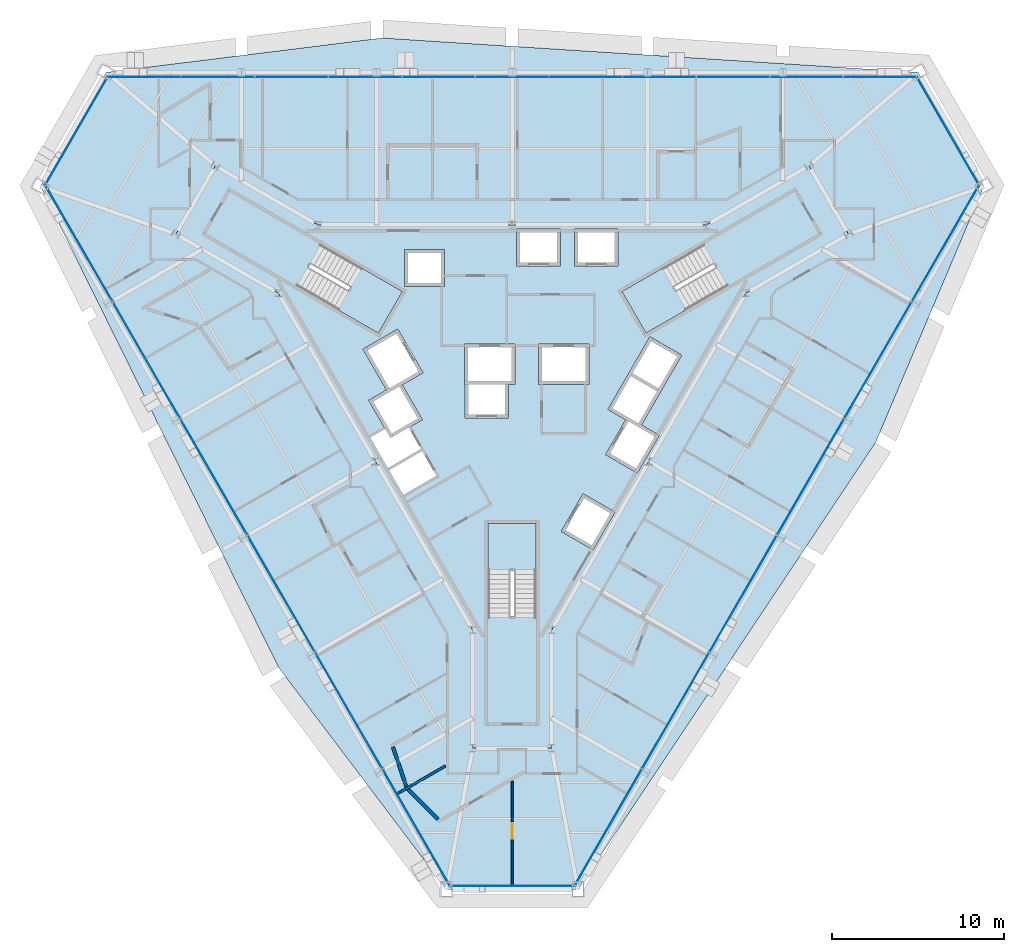
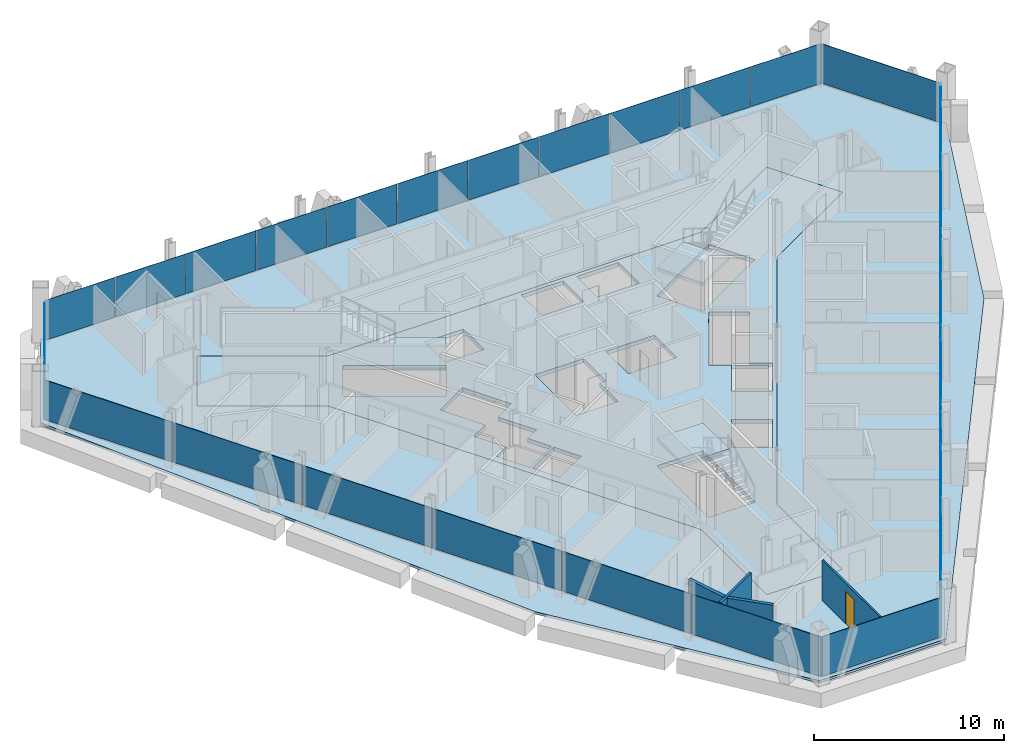
# One storey, part 9 of 17: 26 plates, 5 slabs, 4 walls, 1 door, 1 opening, 9 elements without a shape of their own.
"""IFC4 building model written with IfcOpenShell, lengths in metres."""

from ifc_helpers import new_model, si_unit, direction, frame, frame_2d, origin, origin_2d, place, context, subcontext, project, spatial, polyline, rectangle, outline, extrude, material, layer, layer_set, type_object, element, fill, aggregate, save


model = new_model("IFC4")

# Units and contexts
model_context = context("Model", 3, precision=1e-05, world=origin(), true_north=direction((0.0, 1.0)))
body_context = subcontext(model_context, "Body", "Model", "MODEL_VIEW")
ifc_project = project(units=[si_unit("LENGTHUNIT", "METRE"), si_unit("AREAUNIT", "SQUARE_METRE"), si_unit("VOLUMEUNIT", "CUBIC_METRE"), si_unit("PLANEANGLEUNIT", "RADIAN"), si_unit("MASSUNIT", "GRAM", prefix="KILO")], contexts=[model_context])

# Site, building, storey
site_placement = place(None, origin())
site = spatial("IfcSite", under=ifc_project, at=site_placement, CompositionType="ELEMENT")
building_placement = place(site_placement, origin())
building = spatial("IfcBuilding", under=site, at=building_placement, Name="Verrane Prism Tower", CompositionType="ELEMENT")
storey_placement = place(building_placement, frame((0.0, 0.0, 96.39990234375)))
storey = spatial("IfcBuildingStorey", under=building, at=storey_placement, Name="L22", CompositionType="ELEMENT", Elevation=96.39990234375)

# Slabs
ifc_material_1 = material(Name="Concrete C35/45", Category="concrete")
ifc_layer_1 = layer(ifc_material_1, 0.159912109375)
ifc_layer_set_1 = layer_set([ifc_layer_1], Name="Composite floor slab")
slab_type_1 = type_object("IfcSlabType", Name="Composite floor slab", PredefinedType="FLOOR", material=ifc_layer_set_1)
slab_1_placement = place(storey_placement, frame((0.0, 0.0, -0.159912109375)))
element("IfcSlab", 1, at=slab_1_placement, inside=storey, type_object=slab_type_1, Name="Floor slab L22", PredefinedType="FLOOR", context=body_context, shape_type="SweptSolid", body=[
    extrude(outline(polyline([(21.1845703125, -3.4873046875), (3.8349609375, -29.53759765625), (-3.8349609375, -29.53759765625), (-13.6123046875, -16.6025390625), (-27.497802734375, 11.447509765625), (-23.662841796875, 18.090087890625), (-7.572021484375, 20.090087890625), (23.662841796875, 18.090087890625), (27.497802734375, 11.447509765625), (21.1845703125, -3.4873046875)]), holes=[polyline([(19.60009765625, 8.659912109375), (17.300048828125, 12.639892578125), (11.330078125, 9.199951171875), (0.0, 9.199951171875), (-11.330078125, 9.199951171875), (-17.300048828125, 12.639892578125), (-19.60009765625, 8.659912109375), (-13.6298828125, 5.219970703125), (-7.969970703125, -4.60009765625), (-2.300048828125, -14.419921875), (-2.300048828125, -21.300048828125), (2.300048828125, -21.300048828125), (2.300048828125, -14.419921875), (7.969970703125, -4.60009765625), (13.6298828125, 5.219970703125), (19.60009765625, 8.659912109375)])]), origin(), (0.0, 0.0, 1.0), 0.159912109375),
])
ifc_material_2 = material(Name="Concrete C40/50", Category="concrete")
ifc_layer_2 = layer(ifc_material_2, 0.25)
ifc_layer_set_2 = layer_set([ifc_layer_2], Name="Core floor slab 250 concrete C40/50")
slab_type_2 = type_object("IfcSlabType", Name="Core floor slab 250 concrete C40/50", PredefinedType="FLOOR", material=ifc_layer_set_2)
slab_2_placement = place(storey_placement, frame((0.0, 0.0, -0.25)))
element("IfcSlab", 2, at=slab_2_placement, inside=storey, type_object=slab_type_2, Name="Core floor L22", PredefinedType="FLOOR", context=body_context, shape_type="SweptSolid", body=[
    extrude(outline(polyline([(13.6298828125, 5.219970703125), (19.60009765625, 8.659912109375), (17.300048828125, 12.639892578125), (11.330078125, 9.199951171875), (0.0, 9.199951171875), (-11.330078125, 9.199951171875), (-17.300048828125, 12.639892578125), (-19.60009765625, 8.659912109375), (-13.6298828125, 5.219970703125), (-7.969970703125, -4.60009765625), (-2.300048828125, -14.419921875), (-2.300048828125, -21.300048828125), (2.300048828125, -21.300048828125), (2.300048828125, -14.419921875), (7.969970703125, -4.60009765625), (13.6298828125, 5.219970703125)]), holes=[polyline([(1.39990234375, -8.199951171875), (1.39990234375, -13.639892578125), (-1.39990234375, -13.639892578125), (-1.39990234375, -8.199951171875), (1.39990234375, -8.199951171875)]), polyline([(-4.4169921875, -5.419921875), (-6.343994140625, -6.531982421875), (-7.1689453125, -5.10302734375), (-5.241943359375, -3.989990234375), (-4.4169921875, -5.419921875)]), polyline([(0.1650390625, 2.25), (0.1650390625, -0.10009765625), (-0.205078125, -0.10009765625), (-0.205078125, -2.050048828125), (-2.7548828125, -2.050048828125), (-2.7548828125, -0.10009765625), (-2.784912109375, -0.10009765625), (-2.784912109375, 2.25), (0.1650390625, 2.25)]), polyline([(-12.512939453125, 5.60791015625), (-11.113037109375, 8.031982421875), (-6.40087890625, 5.31201171875), (-7.801025390625, 2.887939453125), (-12.512939453125, 5.60791015625)]), polyline([(-6.284912109375, 5.610107421875), (-6.284912109375, 7.760009765625), (-3.93505859375, 7.760009765625), (-3.93505859375, 5.610107421875), (-6.284912109375, 5.610107421875)]), polyline([(4.717041015625, -9.75), (2.85498046875, -8.675048828125), (4.1298828125, -6.466064453125), (5.991943359375, -7.541015625), (4.717041015625, -9.75)]), polyline([(8.303955078125, -3.136962890625), (5.575927734375, -1.56201171875), (8.02587890625, 2.680908203125), (9.887939453125, 1.60595703125), (7.5380859375, -2.464111328125), (8.576904296875, -3.06396484375), (7.302001953125, -5.27197265625), (5.43994140625, -4.197021484375), (6.614990234375, -2.162109375), (8.303955078125, -3.136962890625)]), polyline([(1.52490234375, -0.10009765625), (1.52490234375, 2.25), (4.47509765625, 2.25), (4.47509765625, -0.10009765625), (1.52490234375, -0.10009765625)]), polyline([(6.40087890625, 5.31201171875), (11.113037109375, 8.031982421875), (12.512939453125, 5.60791015625), (7.801025390625, 2.887939453125), (6.40087890625, 5.31201171875)]), polyline([(0.264892578125, 6.81005859375), (0.264892578125, 8.9599609375), (2.81494140625, 8.9599609375), (2.81494140625, 6.81005859375), (0.264892578125, 6.81005859375)]), polyline([(3.625, 6.81005859375), (3.625, 8.9599609375), (6.175048828125, 8.9599609375), (6.175048828125, 6.81005859375), (3.625, 6.81005859375)]), polyline([(-5.23095703125, -2.159912109375), (-6.031982421875, -2.622314453125), (-5.31689453125, -3.860107421875), (-7.243896484375, -4.972900390625), (-8.26904296875, -3.197998046875), (-7.40283203125, -2.6982421875), (-8.367919921875, -1.02587890625), (-7.3291015625, -0.426025390625), (-8.7041015625, 1.955078125), (-6.66796875, 3.1298828125), (-5.193115234375, 0.574951171875), (-6.406005859375, -0.125), (-5.23095703125, -2.159912109375)])]), origin(), (0.0, 0.0, 1.0), 0.25),
])

# Curtain wall, plates
ifc_material_3 = material(Name="Aluminium framed insulated glazing", Category="aluminium")
curtain_wall_type_1 = type_object("IfcCurtainWallType", Name="Curtain wall CW-C 4200 module", PredefinedType="NOTDEFINED", material=ifc_material_3)
curtain_wall_1_placement = place(storey_placement, origin())
curtain_wall_1 = element("IfcCurtainWall", 3, at=curtain_wall_1_placement, inside=storey, type_object=curtain_wall_type_1, Name="Glazed curtain wall north face L22", PredefinedType="NOTDEFINED")
ifc_material_4 = material(Name="Low-iron insulating glass unit", Category="glass")
ifc_layer_3 = layer(ifc_material_4, 0.02392578125)
ifc_layer_set_3 = layer_set([ifc_layer_3], Name="Glazing panel IGU 24")
plate_type_1 = type_object("IfcPlateType", Name="Glazing panel IGU 24", PredefinedType="CURTAIN_PANEL", material=ifc_layer_set_3)
plate_1_placement = place(storey_placement, frame((21.4326171875, 17.81103515625, 0.050048828125), z_axis=(0.0, 0.0, 1.0), x_axis=(-1.0, 0.0, 0.0)))
plate_1 = element("IfcPlate", 4, at=plate_1_placement, type_object=plate_type_1, Name="CW21.2 panel 1", PredefinedType="CURTAIN_PANEL", context=body_context, shape_type="SweptSolid", body=[
    extrude(rectangle(XDim=4.214111328125, YDim=0.02392578125, at=origin_2d()), origin(), (0.0, 0.0, 1.0), 2.56298828125),
])
plate_2_placement = place(storey_placement, frame((17.15625, 17.81103515625, 0.050048828125), z_axis=(0.0, 0.0, 1.0), x_axis=(-1.0, 0.0, 0.0)))
plate_2 = element("IfcPlate", 5, at=plate_2_placement, type_object=plate_type_1, Name="CW21.2 panel 2", PredefinedType="CURTAIN_PANEL", context=body_context, shape_type="SweptSolid", body=[
    extrude(rectangle(XDim=4.239013671875, YDim=0.02392578125, at=origin_2d()), origin(), (0.0, 0.0, 1.0), 2.56298828125),
])
plate_3_placement = place(storey_placement, frame((12.8671875, 17.81103515625, 0.050048828125), z_axis=(0.0, 0.0, 1.0), x_axis=(-1.0, 0.0, 0.0)))
plate_3 = element("IfcPlate", 6, at=plate_3_placement, type_object=plate_type_1, Name="CW21.2 panel 3", PredefinedType="CURTAIN_PANEL", context=body_context, shape_type="SweptSolid", body=[
    extrude(rectangle(XDim=4.239013671875, YDim=0.02392578125, at=origin_2d()), origin(), (0.0, 0.0, 1.0), 2.56298828125),
])
plate_4_placement = place(storey_placement, frame((8.578125, 17.81103515625, 0.050048828125), z_axis=(0.0, 0.0, 1.0), x_axis=(-1.0, 0.0, 0.0)))
plate_4 = element("IfcPlate", 7, at=plate_4_placement, type_object=plate_type_1, Name="CW21.2 panel 4", PredefinedType="CURTAIN_PANEL", context=body_context, shape_type="SweptSolid", body=[
    extrude(rectangle(XDim=4.239013671875, YDim=0.02392578125, at=origin_2d()), origin(), (0.0, 0.0, 1.0), 2.56298828125),
])
plate_5_placement = place(storey_placement, frame((4.2890625, 17.81103515625, 0.050048828125), z_axis=(0.0, 0.0, 1.0), x_axis=(-1.0, 0.0, 0.0)))
plate_5 = element("IfcPlate", 8, at=plate_5_placement, type_object=plate_type_1, Name="CW21.2 panel 5", PredefinedType="CURTAIN_PANEL", context=body_context, shape_type="SweptSolid", body=[
    extrude(rectangle(XDim=4.239013671875, YDim=0.02392578125, at=origin_2d()), origin(), (0.0, 0.0, 1.0), 2.56298828125),
])
plate_6_placement = place(storey_placement, frame((0.0, 17.81103515625, 0.050048828125), z_axis=(0.0, 0.0, 1.0), x_axis=(-1.0, 0.0, 0.0)))
plate_6 = element("IfcPlate", 9, at=plate_6_placement, type_object=plate_type_1, Name="CW21.2 panel 6", PredefinedType="CURTAIN_PANEL", context=body_context, shape_type="SweptSolid", body=[
    extrude(rectangle(XDim=4.239013671875, YDim=0.02392578125, at=origin_2d()), origin(), (0.0, 0.0, 1.0), 2.56298828125),
])
plate_7_placement = place(storey_placement, frame((-4.2890625, 17.81103515625, 0.050048828125), z_axis=(0.0, 0.0, 1.0), x_axis=(-1.0, 0.0, 0.0)))
plate_7 = element("IfcPlate", 10, at=plate_7_placement, type_object=plate_type_1, Name="CW21.2 panel 7", PredefinedType="CURTAIN_PANEL", context=body_context, shape_type="SweptSolid", body=[
    extrude(rectangle(XDim=4.239013671875, YDim=0.02392578125, at=origin_2d()), origin(), (0.0, 0.0, 1.0), 2.56298828125),
])
plate_8_placement = place(storey_placement, frame((-8.578125, 17.81103515625, 0.050048828125), z_axis=(0.0, 0.0, 1.0), x_axis=(-1.0, 0.0, 0.0)))
plate_8 = element("IfcPlate", 11, at=plate_8_placement, type_object=plate_type_1, Name="CW21.2 panel 8", PredefinedType="CURTAIN_PANEL", context=body_context, shape_type="SweptSolid", body=[
    extrude(rectangle(XDim=4.239013671875, YDim=0.02392578125, at=origin_2d()), origin(), (0.0, 0.0, 1.0), 2.56298828125),
])
plate_9_placement = place(storey_placement, frame((-12.8671875, 17.81103515625, 0.050048828125), z_axis=(0.0, 0.0, 1.0), x_axis=(-1.0, 0.0, 0.0)))
plate_9 = element("IfcPlate", 12, at=plate_9_placement, type_object=plate_type_1, Name="CW21.2 panel 9", PredefinedType="CURTAIN_PANEL", context=body_context, shape_type="SweptSolid", body=[
    extrude(rectangle(XDim=4.239013671875, YDim=0.02392578125, at=origin_2d()), origin(), (0.0, 0.0, 1.0), 2.56298828125),
])
plate_10_placement = place(storey_placement, frame((-17.15625, 17.81103515625, 0.050048828125), z_axis=(0.0, 0.0, 1.0), x_axis=(-1.0, 0.0, 0.0)))
plate_10 = element("IfcPlate", 13, at=plate_10_placement, type_object=plate_type_1, Name="CW21.2 panel 10", PredefinedType="CURTAIN_PANEL", context=body_context, shape_type="SweptSolid", body=[
    extrude(rectangle(XDim=4.239013671875, YDim=0.02392578125, at=origin_2d()), origin(), (0.0, 0.0, 1.0), 2.56298828125),
])
plate_11_placement = place(storey_placement, frame((-21.457763671875, 17.81103515625, 0.050048828125), z_axis=(0.0, 0.0, 1.0), x_axis=(-1.0, 0.0, 0.0)))
plate_11 = element("IfcPlate", 14, at=plate_11_placement, type_object=plate_type_1, Name="CW21.2 panel 11", PredefinedType="CURTAIN_PANEL", context=body_context, shape_type="SweptSolid", body=[
    extrude(rectangle(XDim=4.263916015625, YDim=0.02392578125, at=origin_2d()), origin(), (0.0, 0.0, 1.0), 2.56298828125),
])
aggregate(curtain_wall_1, [plate_1, plate_2, plate_3, plate_4, plate_5, plate_6, plate_7, plate_8, plate_9, plate_10, plate_11])

# Curtain wall, plate
ifc_material_5 = material(Name="Aluminium framed insulated glazing", Category="aluminium")
curtain_wall_type_2 = type_object("IfcCurtainWallType", Name="Curtain wall CW-A 8400 module", PredefinedType="NOTDEFINED", material=ifc_material_5)
curtain_wall_2_placement = place(storey_placement, origin())
curtain_wall_2 = element("IfcCurtainWall", 15, at=curtain_wall_2_placement, inside=storey, type_object=curtain_wall_type_2, Name="Glazed curtain wall north-east corner L22", PredefinedType="NOTDEFINED")
ifc_material_6 = material(Name="Low-iron insulating glass unit", Category="glass")
ifc_layer_4 = layer(ifc_material_6, 0.031982421875)
ifc_layer_set_4 = layer_set([ifc_layer_4], Name="Glazing panel IGU 32")
plate_type_2 = type_object("IfcPlateType", Name="Glazing panel IGU 32", PredefinedType="CURTAIN_PANEL", material=ifc_layer_set_4)
plate_12_placement = place(storey_placement, frame((25.38720703125, 14.69775390625, 0.070068359375), z_axis=(0.0, 0.0, 1.0), x_axis=(-0.499998283797, 0.866026394632, 0.0)))
plate_12 = element("IfcPlate", 16, at=plate_12_placement, type_object=plate_type_2, Name="CW21.1 panel 1", PredefinedType="CURTAIN_PANEL", context=body_context, shape_type="SweptSolid", body=[
    extrude(rectangle(XDim=7.18994140625, YDim=0.031982421875, at=origin_2d()), origin(), (0.0, 0.0, 1.0), 2.54296875),
])
aggregate(curtain_wall_2, [plate_12])

curtain_wall_3_placement = place(storey_placement, origin())
curtain_wall_3 = element("IfcCurtainWall", 17, at=curtain_wall_3_placement, inside=storey, type_object=curtain_wall_type_2, Name="Glazed curtain wall north-west corner L22", PredefinedType="NOTDEFINED")
plate_13_placement = place(storey_placement, frame((-25.422119140625, 14.63720703125, 0.070068359375), z_axis=(0.0, 0.0, 1.0), x_axis=(-0.499998283797, -0.866026394632, 0.0)))
plate_13 = element("IfcPlate", 18, at=plate_13_placement, type_object=plate_type_2, Name="CW21.3 panel 1", PredefinedType="CURTAIN_PANEL", context=body_context, shape_type="SweptSolid", body=[
    extrude(rectangle(XDim=7.18994140625, YDim=0.031982421875, at=origin_2d()), origin(), (0.0, 0.0, 1.0), 2.54296875),
])
aggregate(curtain_wall_3, [plate_13])

# Curtain wall, plates
curtain_wall_4_placement = place(storey_placement, origin())
curtain_wall_4 = element("IfcCurtainWall", 19, at=curtain_wall_4_placement, inside=storey, type_object=curtain_wall_type_2, Name="Glazed curtain wall south-west face L22", PredefinedType="NOTDEFINED")
plate_14_placement = place(storey_placement, frame((-25.2451171875, 8.103759765625, 0.070068359375), z_axis=(0.0, 0.0, 1.0), x_axis=(0.499999623108, -0.866025621383, 0.0)))
plate_14 = element("IfcPlate", 20, at=plate_14_placement, type_object=plate_type_2, Name="CW21.4 panel 1", PredefinedType="CURTAIN_PANEL", context=body_context, shape_type="SweptSolid", body=[
    extrude(rectangle(XDim=7.75830078125, YDim=0.031982421875, at=origin_2d()), origin(), (0.0, 0.0, 1.0), 2.54296875),
])
plate_15_placement = place(storey_placement, frame((-21.322265625, 1.30908203125, 0.070068359375), z_axis=(0.0, 0.0, 1.0), x_axis=(0.499999623108, -0.866025621383, 0.0)))
plate_15 = element("IfcPlate", 21, at=plate_15_placement, type_object=plate_type_2, Name="CW21.4 panel 2", PredefinedType="CURTAIN_PANEL", context=body_context, shape_type="SweptSolid", body=[
    extrude(rectangle(XDim=7.793212890625, YDim=0.031982421875, at=origin_2d()), origin(), (0.0, 0.0, 1.0), 2.54296875),
])
plate_16_placement = place(storey_placement, frame((-17.390625, -5.500732421875, 0.070068359375), z_axis=(0.0, 0.0, 1.0), x_axis=(0.499999623108, -0.866025621383, 0.0)))
plate_16 = element("IfcPlate", 22, at=plate_16_placement, type_object=plate_type_2, Name="CW21.4 panel 3", PredefinedType="CURTAIN_PANEL", context=body_context, shape_type="SweptSolid", body=[
    extrude(rectangle(XDim=7.793212890625, YDim=0.031982421875, at=origin_2d()), origin(), (0.0, 0.0, 1.0), 2.54296875),
])
plate_17_placement = place(storey_placement, frame((-13.458984375, -12.310302734375, 0.070068359375), z_axis=(0.0, 0.0, 1.0), x_axis=(0.499999623108, -0.866025621383, 0.0)))
plate_17 = element("IfcPlate", 23, at=plate_17_placement, type_object=plate_type_2, Name="CW21.4 panel 4", PredefinedType="CURTAIN_PANEL", context=body_context, shape_type="SweptSolid", body=[
    extrude(rectangle(XDim=7.793212890625, YDim=0.031982421875, at=origin_2d()), origin(), (0.0, 0.0, 1.0), 2.54296875),
])
plate_18_placement = place(storey_placement, frame((-9.52734375, -19.1201171875, 0.070068359375), z_axis=(0.0, 0.0, 1.0), x_axis=(0.499999623108, -0.866025621383, 0.0)))
plate_18 = element("IfcPlate", 24, at=plate_18_placement, type_object=plate_type_2, Name="CW21.4 panel 5", PredefinedType="CURTAIN_PANEL", context=body_context, shape_type="SweptSolid", body=[
    extrude(rectangle(XDim=7.793212890625, YDim=0.031982421875, at=origin_2d()), origin(), (0.0, 0.0, 1.0), 2.54296875),
])
plate_19_placement = place(storey_placement, frame((-5.5869140625, -25.945068359375, 0.070068359375), z_axis=(0.0, 0.0, 1.0), x_axis=(0.499999623108, -0.866025621383, 0.0)))
plate_19 = element("IfcPlate", 25, at=plate_19_placement, type_object=plate_type_2, Name="CW21.4 panel 6", PredefinedType="CURTAIN_PANEL", context=body_context, shape_type="SweptSolid", body=[
    extrude(rectangle(XDim=7.828125, YDim=0.031982421875, at=origin_2d()), origin(), (0.0, 0.0, 1.0), 2.54296875),
])
aggregate(curtain_wall_4, [plate_14, plate_15, plate_16, plate_17, plate_18, plate_19])

# Curtain wall, plate
curtain_wall_5_placement = place(storey_placement, origin())
curtain_wall_5 = element("IfcCurtainWall", 26, at=curtain_wall_5_placement, inside=storey, type_object=curtain_wall_type_2, Name="Glazed curtain wall south corner L22", PredefinedType="NOTDEFINED")
plate_20_placement = place(storey_placement, frame((0.034912109375, -29.334716796875, 0.070068359375), z_axis=(0.0, 0.0, 1.0), x_axis=(1.0, 0.0, 0.0)))
plate_20 = element("IfcPlate", 27, at=plate_20_placement, type_object=plate_type_2, Name="CW21.5 panel 1", PredefinedType="CURTAIN_PANEL", context=body_context, shape_type="SweptSolid", body=[
    extrude(rectangle(XDim=7.189697265625, YDim=0.031982421875, at=origin_2d()), origin(), (0.0, 0.0, 1.0), 2.54296875),
])
aggregate(curtain_wall_5, [plate_20])

# Curtain wall, plates
curtain_wall_6_placement = place(storey_placement, origin())
curtain_wall_6 = element("IfcCurtainWall", 28, at=curtain_wall_6_placement, inside=storey, type_object=curtain_wall_type_2, Name="Glazed curtain wall south-east face L22", PredefinedType="NOTDEFINED")
plate_21_placement = place(storey_placement, frame((5.6044921875, -25.914794921875, 0.070068359375), z_axis=(0.0, 0.0, 1.0), x_axis=(0.499999623108, 0.866025621383, 0.0)))
plate_21 = element("IfcPlate", 29, at=plate_21_placement, type_object=plate_type_2, Name="CW21.6 panel 1", PredefinedType="CURTAIN_PANEL", context=body_context, shape_type="SweptSolid", body=[
    extrude(rectangle(XDim=7.75830078125, YDim=0.031982421875, at=origin_2d()), origin(), (0.0, 0.0, 1.0), 2.54296875),
])
plate_22_placement = place(storey_placement, frame((9.52734375, -19.1201171875, 0.070068359375), z_axis=(0.0, 0.0, 1.0), x_axis=(0.499999623108, 0.866025621383, 0.0)))
plate_22 = element("IfcPlate", 30, at=plate_22_placement, type_object=plate_type_2, Name="CW21.6 panel 2", PredefinedType="CURTAIN_PANEL", context=body_context, shape_type="SweptSolid", body=[
    extrude(rectangle(XDim=7.793212890625, YDim=0.031982421875, at=origin_2d()), origin(), (0.0, 0.0, 1.0), 2.54296875),
])
plate_23_placement = place(storey_placement, frame((13.458984375, -12.310302734375, 0.070068359375), z_axis=(0.0, 0.0, 1.0), x_axis=(0.499999623108, 0.866025621383, 0.0)))
plate_23 = element("IfcPlate", 31, at=plate_23_placement, type_object=plate_type_2, Name="CW21.6 panel 3", PredefinedType="CURTAIN_PANEL", context=body_context, shape_type="SweptSolid", body=[
    extrude(rectangle(XDim=7.793212890625, YDim=0.031982421875, at=origin_2d()), origin(), (0.0, 0.0, 1.0), 2.54296875),
])
plate_24_placement = place(storey_placement, frame((17.390625, -5.500732421875, 0.070068359375), z_axis=(0.0, 0.0, 1.0), x_axis=(0.499999623108, 0.866025621383, 0.0)))
plate_24 = element("IfcPlate", 32, at=plate_24_placement, type_object=plate_type_2, Name="CW21.6 panel 4", PredefinedType="CURTAIN_PANEL", context=body_context, shape_type="SweptSolid", body=[
    extrude(rectangle(XDim=7.793212890625, YDim=0.031982421875, at=origin_2d()), origin(), (0.0, 0.0, 1.0), 2.54296875),
])
plate_25_placement = place(storey_placement, frame((21.322265625, 1.30908203125, 0.070068359375), z_axis=(0.0, 0.0, 1.0), x_axis=(0.499999623108, 0.866025621383, 0.0)))
plate_25 = element("IfcPlate", 33, at=plate_25_placement, type_object=plate_type_2, Name="CW21.6 panel 5", PredefinedType="CURTAIN_PANEL", context=body_context, shape_type="SweptSolid", body=[
    extrude(rectangle(XDim=7.793212890625, YDim=0.031982421875, at=origin_2d()), origin(), (0.0, 0.0, 1.0), 2.54296875),
])
plate_26_placement = place(storey_placement, frame((25.262451171875, 8.134033203125, 0.070068359375), z_axis=(0.0, 0.0, 1.0), x_axis=(0.499999623108, 0.866025621383, 0.0)))
plate_26 = element("IfcPlate", 34, at=plate_26_placement, type_object=plate_type_2, Name="CW21.6 panel 6", PredefinedType="CURTAIN_PANEL", context=body_context, shape_type="SweptSolid", body=[
    extrude(rectangle(XDim=7.828125, YDim=0.031982421875, at=origin_2d()), origin(), (0.0, 0.0, 1.0), 2.54296875),
])
aggregate(curtain_wall_6, [plate_21, plate_22, plate_23, plate_24, plate_25, plate_26])

# Stair, slab
ifc_material_7 = material(Name="Concrete C40/50", Category="concrete")
stair_type = type_object("IfcStairType", Name="Exit stair 1300 dog-leg precast concrete C40/50", PredefinedType="HALF_TURN_STAIR", material=ifc_material_7)
stair_1_placement = place(storey_placement, origin())
stair_1 = element("IfcStair", 35, at=stair_1_placement, inside=storey, type_object=stair_type, Name="Stair 1 L22", PredefinedType="HALF_TURN_STAIR")
ifc_material_8 = material(Name="Concrete C40/50", Category="concrete")
ifc_layer_5 = layer(ifc_material_8, 0.199951171875)
ifc_layer_set_5 = layer_set([ifc_layer_5], Name="Stair landing 200 precast concrete C40/50")
slab_type_3 = type_object("IfcSlabType", Name="Stair landing 200 precast concrete C40/50", PredefinedType="LANDING", material=ifc_layer_set_5)
slab_3_placement = place(storey_placement, frame((0.0, 0.0, 1.60009765625)))
slab_3 = element("IfcSlab", 36, at=slab_3_placement, type_object=slab_type_3, Name="Stair 1 landing 1", PredefinedType="LANDING", context=body_context, shape_type="SweptSolid", body=[
    extrude(outline(polyline([(8.791748046875, 6.6923828125), (6.4013671875, 5.3125), (7.801513671875, 2.887451171875), (10.191650390625, 4.267578125), (8.791748046875, 6.6923828125)])), origin(), (0.0, 0.0, 1.0), 0.199951171875),
])
aggregate(stair_1, [slab_3])

stair_2_placement = place(storey_placement, origin())
stair_2 = element("IfcStair", 37, at=stair_2_placement, inside=storey, type_object=stair_type, Name="Stair 2 L22", PredefinedType="HALF_TURN_STAIR")
slab_4_placement = place(storey_placement, frame((0.0, 0.0, 1.60009765625)))
slab_4 = element("IfcSlab", 38, at=slab_4_placement, type_object=slab_type_3, Name="Stair 2 landing 1", PredefinedType="LANDING", context=body_context, shape_type="SweptSolid", body=[
    extrude(outline(polyline([(-10.191650390625, 4.267578125), (-7.801513671875, 2.887451171875), (-6.4013671875, 5.3125), (-8.791748046875, 6.6923828125), (-10.191650390625, 4.267578125)])), origin(), (0.0, 0.0, 1.0), 0.199951171875),
])
aggregate(stair_2, [slab_4])

stair_3_placement = place(storey_placement, origin())
stair_3 = element("IfcStair", 39, at=stair_3_placement, inside=storey, type_object=stair_type, Name="Stair 3 L22", PredefinedType="HALF_TURN_STAIR")
slab_5_placement = place(storey_placement, frame((0.0, 0.0, 1.60009765625)))
slab_5 = element("IfcSlab", 40, at=slab_5_placement, type_object=slab_type_3, Name="Stair 3 landing 1", PredefinedType="LANDING", context=body_context, shape_type="SweptSolid", body=[
    extrude(outline(polyline([(1.39990234375, -10.9599609375), (1.39990234375, -8.199951171875), (-1.39990234375, -8.199951171875), (-1.39990234375, -10.9599609375), (1.39990234375, -10.9599609375)])), origin(), (0.0, 0.0, 1.0), 0.199951171875),
])
aggregate(stair_3, [slab_5])

# Wall, opening, door
ifc_material_9 = material(Name="Gypsum board partition", Category="other")
ifc_layer_6 = layer(ifc_material_9, 0.10009765625)
ifc_layer_set_6 = layer_set([ifc_layer_6], Name="PW-100 room partition")
wall_type_1 = type_object("IfcWallType", Name="PW-100 room partition", PredefinedType="PARTITIONING", material=ifc_layer_set_6)
wall_1_placement = place(storey_placement, frame((0.0, -29.239013671875, 0.0), z_axis=(0.0, 0.0, 1.0), x_axis=(0.0, 1.0, 0.0)))
wall_1 = element("IfcWall", 41, at=wall_1_placement, inside=storey, type_object=wall_type_1, Name="Room partition 052", PredefinedType="PARTITIONING", context=body_context, shape_type="SweptSolid", body=[
    extrude(rectangle(XDim=5.99658203125, YDim=0.10009765625, at=frame_2d((2.998291015625, 0.0))), origin(), (0.0, 0.0, 1.0), 2.613037109375),
])
opening_placement = place(wall_1_placement, frame((2.654052734375, 0.0, 0.0)))
opening = element("IfcOpeningElement", 42, at=opening_placement, cuts=wall_1, Name="Opening D21039", PredefinedType="OPENING", context=body_context, shape_type="SweptSolid", body=[
    extrude(rectangle(XDim=0.89990234375, YDim=2.10009765625, at=frame_2d((0.449951171875, 1.050048828125))), frame((0.0, 0.06005859375, 0.0), z_axis=(0.0, -1.0, 0.0), x_axis=(1.0, 0.0, 0.0)), (0.0, 0.0, 1.0), 0.1201171875),
])
ifc_material_10 = material(Name="Timber veneered door leaf", Category="wood")
door_type = type_object("IfcDoorType", Name="DR-900x2100 single leaf inner", OperationType="NOTDEFINED", PredefinedType="DOOR", material=ifc_material_10)
door_placement = place(opening_placement, origin())
door = element("IfcDoor", 43, at=door_placement, inside=storey, type_object=door_type, Name="Suite Living Room door", OperationType="SINGLE_SWING_LEFT", OverallHeight=2.10009765625, OverallWidth=0.89990234375, PredefinedType="DOOR", context=body_context, shape_type="SweptSolid", body=[
    extrude(rectangle(XDim=0.89990234375, YDim=2.10009765625, at=frame_2d((0.449951171875, 1.050048828125))), frame((0.0, 0.02490234375, 0.0), z_axis=(0.0, -1.0, 0.0), x_axis=(1.0, 0.0, 0.0)), (0.0, 0.0, 1.0), 0.050048828125),
])
fill(opening, door)

# Walls
ifc_material_11 = material(Name="Gypsum board partition", Category="other")
ifc_layer_7 = layer(ifc_material_11, 0.14990234375)
ifc_layer_set_7 = layer_set([ifc_layer_7], Name="PW-150 demising wall 1 h")
wall_type_2 = type_object("IfcWallType", Name="PW-150 demising wall 1 h", PredefinedType="PARTITIONING", material=ifc_layer_set_7)
wall_2_placement = place(storey_placement, frame((-6.639892578125, -23.928955078125, 0.0), z_axis=(0.0, 0.0, 1.0), x_axis=(0.866065365018, 0.499930778725, 0.0)))
element("IfcWall", 44, at=wall_2_placement, inside=storey, type_object=wall_type_2, Name="Demising wall 042", PredefinedType="PARTITIONING", context=body_context, shape_type="SweptSolid", body=[
    extrude(rectangle(XDim=3.1787109375, YDim=0.14990234375, at=frame_2d((1.58935546875, 0.0))), origin(), (0.0, 0.0, 1.0), 2.613037109375),
])
ifc_material_12 = material(Name="Gypsum board partition", Category="other")
ifc_layer_8 = layer(ifc_material_12, 0.199951171875)
ifc_layer_set_8 = layer_set([ifc_layer_8], Name="PW-200 plumbing wall")
wall_type_3 = type_object("IfcWallType", Name="PW-200 plumbing wall", PredefinedType="PARTITIONING", material=ifc_layer_set_8)
wall_3_placement = place(storey_placement, frame((-6.948486328125, -21.24169921875, 0.0), z_axis=(0.0, 0.0, 1.0), x_axis=(0.321098754357, -0.947045716927, 0.0)))
element("IfcWall", 45, at=wall_3_placement, inside=storey, type_object=wall_type_3, Name="Plumbing wall 040", PredefinedType="PARTITIONING", context=body_context, shape_type="SweptSolid", body=[
    extrude(rectangle(XDim=2.433837890625, YDim=0.199951171875, at=frame_2d((1.216796875, 0.0))), origin(), (0.0, 0.0, 1.0), 2.613037109375),
])
wall_4_placement = place(storey_placement, frame((-6.062255859375, -23.7119140625, 0.0), z_axis=(0.0, 0.0, 1.0), x_axis=(0.706958057502, -0.707255473597, 0.0)))
element("IfcWall", 46, at=wall_4_placement, inside=storey, type_object=wall_type_3, Name="Plumbing wall 043", PredefinedType="PARTITIONING", context=body_context, shape_type="SweptSolid", body=[
    extrude(rectangle(XDim=2.462646484375, YDim=0.199951171875, at=frame_2d((1.2314453125, 0.0))), origin(), (0.0, 0.0, 1.0), 2.613037109375),
])

save(model, "model.ifc")
